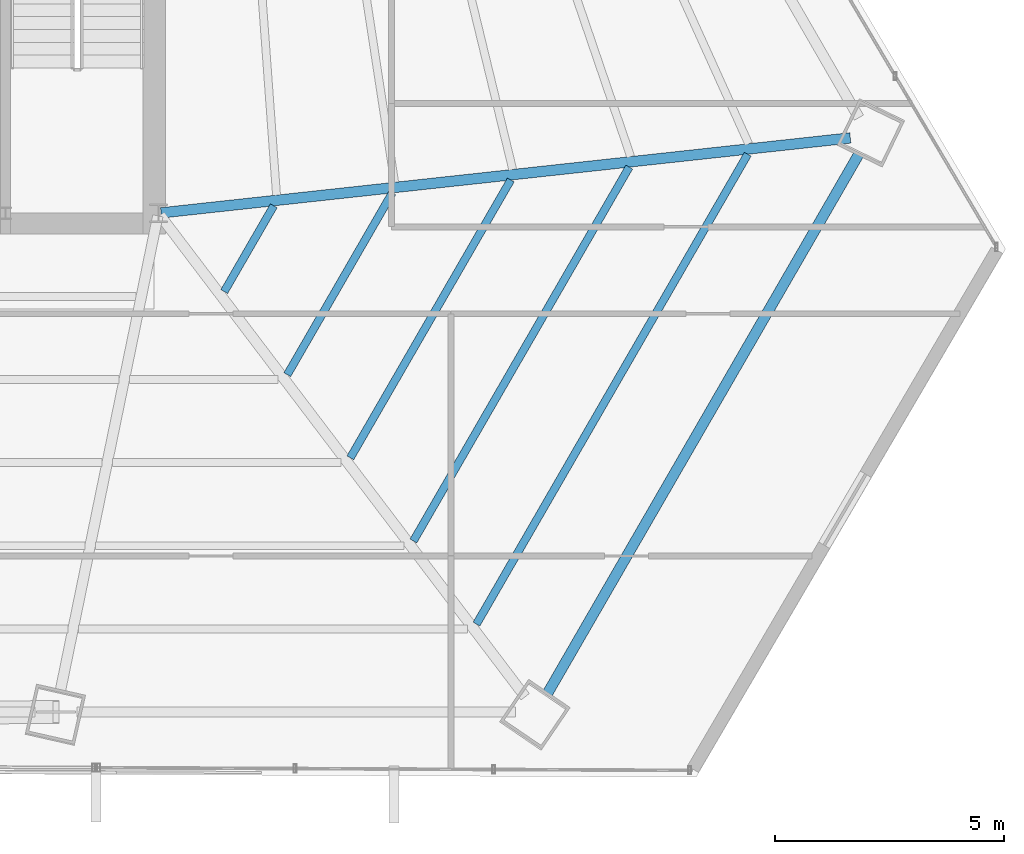
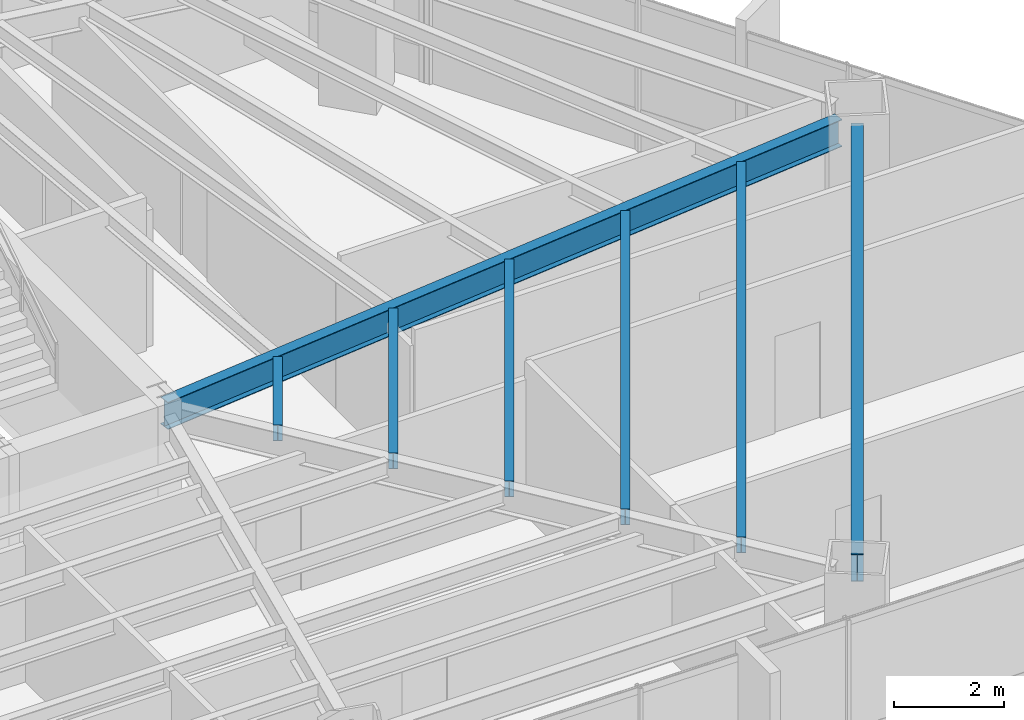
# One storey, part 17 of 35: 7 beams.
"""IFC4 building model written with IfcOpenShell, lengths in metres."""

from ifc_helpers import new_model, si_unit, direction, frame, origin, origin_2d, place, context, subcontext, project, spatial, i_section, extrude, source, transform, mapped, material, material_profile, profile_set, type_object, type_shapes, element, save


model = new_model("IFC4")

# Units and contexts
model_context = context("Model", 3, precision=1e-05, world=origin(), true_north=direction((0.0, 1.0)))
body_context = subcontext(model_context, "Body", "Model", "MODEL_VIEW")
ifc_project = project(units=[si_unit("LENGTHUNIT", "METRE"), si_unit("AREAUNIT", "SQUARE_METRE"), si_unit("VOLUMEUNIT", "CUBIC_METRE"), si_unit("PLANEANGLEUNIT", "RADIAN"), si_unit("MASSUNIT", "GRAM", prefix="KILO")], contexts=[model_context])

# Site, building, storey
site_placement = place(None, origin())
site = spatial("IfcSite", under=ifc_project, at=site_placement, CompositionType="ELEMENT")
building_placement = place(site_placement, origin())
building = spatial("IfcBuilding", under=site, at=building_placement, Name="Caelisora Broadcast Tower", CompositionType="ELEMENT")
storey_placement = place(building_placement, frame((0.0, 0.0, 109.050048828125)))
storey = spatial("IfcBuildingStorey", under=building, at=storey_placement, Name="L28", CompositionType="ELEMENT", Elevation=109.050048828125)

# Beams
ifc_material = material(Name="Steel Grade 350 (AS/NZS 3679.1)", Category="steel")
ifc_material_profile_1 = material_profile(ifc_material, i_section(OverallWidth=0.22900390625, OverallDepth=0.611572265625, WebThickness=0.011962890625, FlangeThickness=0.01953125, at=origin_2d()), Name="Steel Grade 350 (AS/NZS 3679.1)")
ifc_profile_set_1 = profile_set([ifc_material_profile_1], Name="Steel Grade 350 (AS/NZS 3679.1)")
beam_type_1 = type_object("IfcBeamType", Name="PG03", PredefinedType="BEAM", material=ifc_profile_set_1)
shared_shape_1 = source(origin(), body_context, "Body", "SweptSolid", [
    extrude(i_section(OverallWidth=0.22900390625, OverallDepth=0.611572265625, WebThickness=0.011962890625, FlangeThickness=0.01953125, at=origin_2d()), origin(), (0.0, 0.0, 1.0), 13.63720703125),
])
type_shapes(beam_type_1, [shared_shape_1])
beam_1_placement = place(storey_placement, frame((54.008544921875, 6.884033203125, 3.09423828125), z_axis=(0.500003465211, 0.866023403134, 0.0), x_axis=(-0.866023403134, 0.500003465211, 0.0)))
element("IfcBeam", 1, at=beam_1_placement, inside=storey, type_object=beam_type_1, Name="L28 beam PG03", PredefinedType="BEAM", context=body_context, shape_type="MappedRepresentation", body=[
    mapped(shared_shape_1, transform((0.0, 0.0, 0.0), scale=1.0)),
])
ifc_material_profile_2 = material_profile(ifc_material, i_section(OverallWidth=0.22802734375, OverallDepth=0.602294921875, WebThickness=0.010498046875, FlangeThickness=0.014892578125, at=origin_2d()), Name="Steel Grade 350 (AS/NZS 3679.1)")
ifc_profile_set_2 = profile_set([ifc_material_profile_2], Name="Steel Grade 350 (AS/NZS 3679.1)")
beam_type_2 = type_object("IfcBeamType", Name="PG04", PredefinedType="BEAM", material=ifc_profile_set_2)
shared_shape_2 = source(origin(), body_context, "Body", "SweptSolid", [
    extrude(i_section(OverallWidth=0.22802734375, OverallDepth=0.602294921875, WebThickness=0.010498046875, FlangeThickness=0.014892578125, at=origin_2d()), origin(), (0.0, 0.0, 1.0), 15.1689453125),
])
type_shapes(beam_type_2, [shared_shape_2])
beam_2_placement = place(storey_placement, frame((45.5595703125, 17.406494140625, 3.098876953125), z_axis=(0.994133934066, 0.108156003706, 0.0), x_axis=(-0.108156003706, 0.994133934066, 0.0)))
element("IfcBeam", 2, at=beam_2_placement, inside=storey, type_object=beam_type_2, Name="L28 beam PG04", PredefinedType="BEAM", context=body_context, shape_type="MappedRepresentation", body=[
    mapped(shared_shape_2, transform((0.0, 0.0, 0.0), scale=1.0)),
])
ifc_material_profile_3 = material_profile(ifc_material, i_section(OverallWidth=0.172119140625, OverallDepth=0.358642578125, WebThickness=0.008056640625, FlangeThickness=0.012939453125, at=origin_2d()), Name="Steel Grade 350 (AS/NZS 3679.1)")
ifc_profile_set_3 = profile_set([ifc_material_profile_3], Name="Steel Grade 350 (AS/NZS 3679.1)")
beam_type_3 = type_object("IfcBeamType", Name="SB02", PredefinedType="JOIST", material=ifc_profile_set_3)
shared_shape_3 = source(origin(), body_context, "Body", "SweptSolid", [
    extrude(i_section(OverallWidth=0.172119140625, OverallDepth=0.358642578125, WebThickness=0.008056640625, FlangeThickness=0.012939453125, at=origin_2d()), origin(), (0.0, 0.0, 1.0), 2.1669921875),
])
beam_3_placement = place(storey_placement, frame((46.940185546875, 15.685546875, 3.220703125), z_axis=(0.499992266949, 0.866029868417, 0.0), x_axis=(-0.866029868417, 0.499992266949, 0.0)))
element("IfcBeam", 3, at=beam_3_placement, inside=storey, type_object=beam_type_3, Name="L28 beam SB02", PredefinedType="JOIST", context=body_context, shape_type="MappedRepresentation", body=[
    mapped(shared_shape_3, transform((0.0, 0.0, 0.0), scale=1.0)),
])
shared_shape_4 = source(origin(), body_context, "Body", "SweptSolid", [
    extrude(i_section(OverallWidth=0.172119140625, OverallDepth=0.358642578125, WebThickness=0.008056640625, FlangeThickness=0.012939453125, at=origin_2d()), origin(), (0.0, 0.0, 1.0), 4.593505859375),
])
beam_4_placement = place(storey_placement, frame((48.31982421875, 13.866455078125, 3.220703125), z_axis=(0.500026097828, 0.866010335672, 0.0), x_axis=(-0.866010335672, 0.500026097828, 0.0)))
element("IfcBeam", 4, at=beam_4_placement, inside=storey, type_object=beam_type_3, Name="L28 beam SB02", PredefinedType="JOIST", context=body_context, shape_type="MappedRepresentation", body=[
    mapped(shared_shape_4, transform((0.0, 0.0, 0.0), scale=1.0)),
])
shared_shape_5 = source(origin(), body_context, "Body", "SweptSolid", [
    extrude(i_section(OverallWidth=0.172119140625, OverallDepth=0.358642578125, WebThickness=0.008056640625, FlangeThickness=0.012939453125, at=origin_2d()), origin(), (0.0, 0.0, 1.0), 7.01953125),
])
beam_5_placement = place(storey_placement, frame((49.69970703125, 12.04736328125, 3.220703125), z_axis=(0.499999433879, 0.866025730634, 0.0), x_axis=(-0.866025730634, 0.499999433879, 0.0)))
element("IfcBeam", 5, at=beam_5_placement, inside=storey, type_object=beam_type_3, Name="L28 beam SB02", PredefinedType="JOIST", context=body_context, shape_type="MappedRepresentation", body=[
    mapped(shared_shape_5, transform((0.0, 0.0, 0.0), scale=1.0)),
])
shared_shape_6 = source(origin(), body_context, "Body", "SweptSolid", [
    extrude(i_section(OverallWidth=0.172119140625, OverallDepth=0.358642578125, WebThickness=0.008056640625, FlangeThickness=0.012939453125, at=origin_2d()), origin(), (0.0, 0.0, 1.0), 9.44580078125),
])
beam_6_placement = place(storey_placement, frame((51.079345703125, 10.228271484375, 3.220703125), z_axis=(0.499994660107, 0.866028486751, 0.0), x_axis=(-0.866028486751, 0.499994660107, 0.0)))
element("IfcBeam", 6, at=beam_6_placement, inside=storey, type_object=beam_type_3, Name="L28 beam SB02", PredefinedType="JOIST", context=body_context, shape_type="MappedRepresentation", body=[
    mapped(shared_shape_6, transform((0.0, 0.0, 0.0), scale=1.0)),
])
shared_shape_7 = source(origin(), body_context, "Body", "SweptSolid", [
    extrude(i_section(OverallWidth=0.172119140625, OverallDepth=0.358642578125, WebThickness=0.008056640625, FlangeThickness=0.012939453125, at=origin_2d()), origin(), (0.0, 0.0, 1.0), 11.8720703125),
])
type_shapes(beam_type_3, [shared_shape_3, shared_shape_4, shared_shape_5, shared_shape_6, shared_shape_7])
beam_7_placement = place(storey_placement, frame((52.458984375, 8.4091796875, 3.220703125), z_axis=(0.50001616505, 0.866016070687, 0.0), x_axis=(-0.866016070687, 0.50001616505, 0.0)))
element("IfcBeam", 7, at=beam_7_placement, inside=storey, type_object=beam_type_3, Name="L28 beam SB02", PredefinedType="JOIST", context=body_context, shape_type="MappedRepresentation", body=[
    mapped(shared_shape_7, transform((0.0, 0.0, 0.0), scale=1.0)),
])

save(model, "model.ifc")
